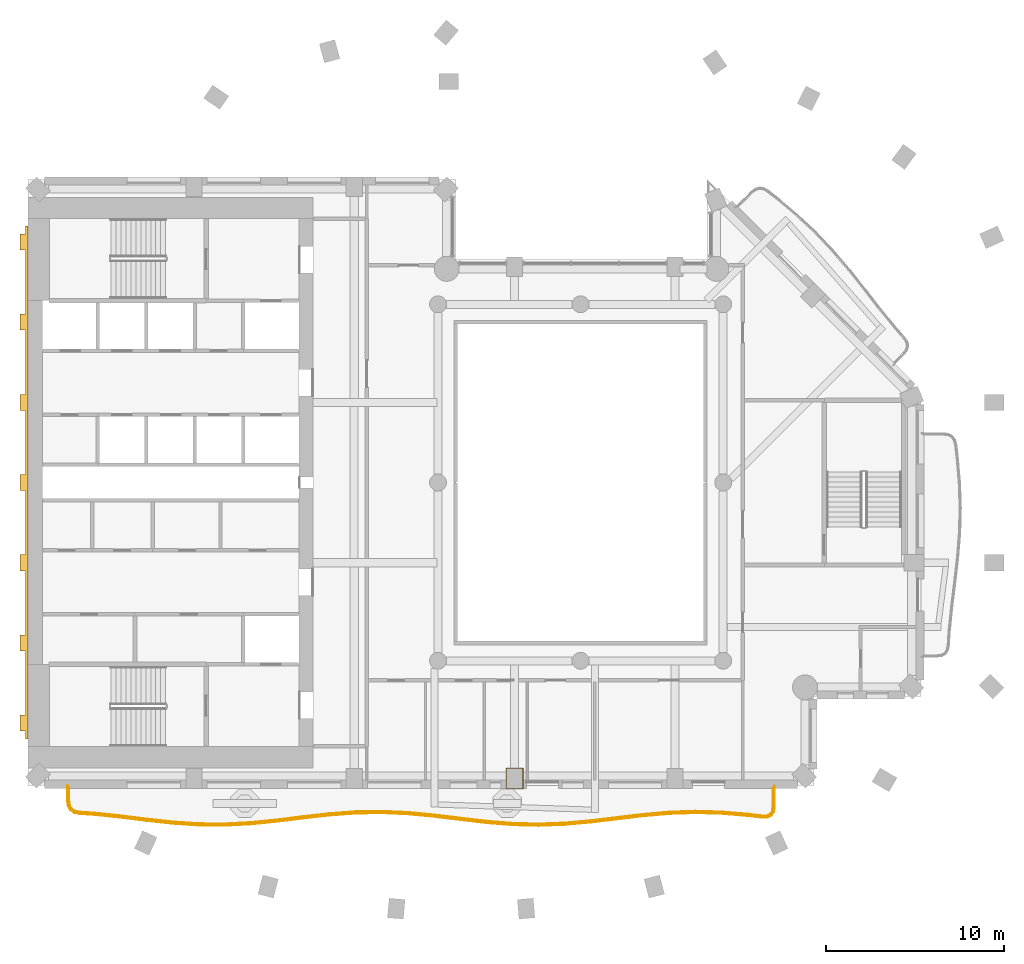
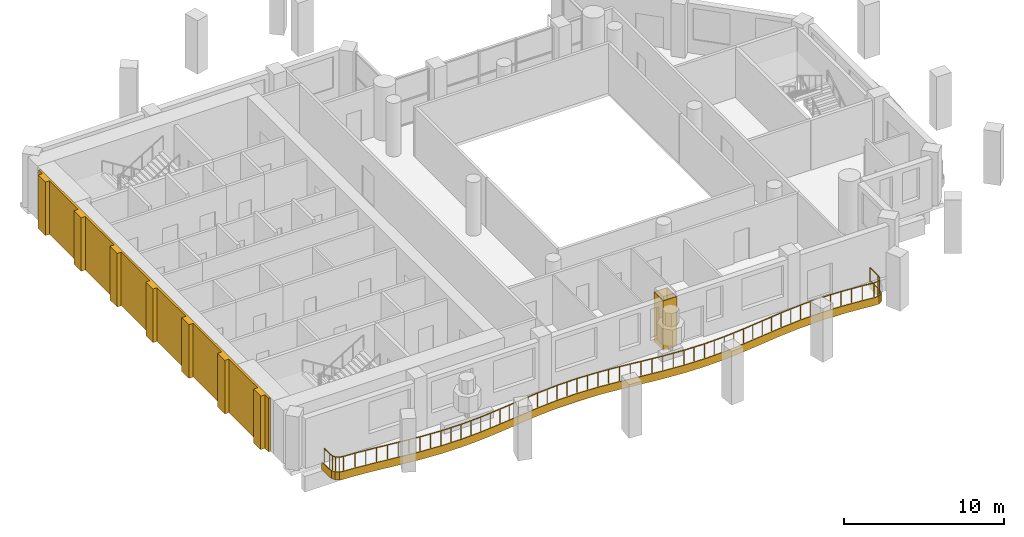
# One storey, part 10 of 14: 3 coverings, 1 railing.
"""IFC4 building model written with IfcOpenShell, lengths in metres."""

from ifc_helpers import new_model, si_unit, direction, frame, origin, origin_2d, place, context, subcontext, project, spatial, polyline, rectangle, outline, extrude, material, layer, layer_set, type_object, element, save


model = new_model("IFC4")

# Units and contexts
model_context = context("Model", 3, precision=1e-05, world=origin(), true_north=direction((0.0, 1.0)))
body_context = subcontext(model_context, "Body", "Model", "MODEL_VIEW")
ifc_project = project(units=[si_unit("LENGTHUNIT", "METRE"), si_unit("AREAUNIT", "SQUARE_METRE"), si_unit("VOLUMEUNIT", "CUBIC_METRE"), si_unit("PLANEANGLEUNIT", "RADIAN"), si_unit("MASSUNIT", "GRAM", prefix="KILO")], contexts=[model_context])

# Site, building, storey
site_placement = place(None, origin())
site = spatial("IfcSite", under=ifc_project, at=site_placement, CompositionType="ELEMENT")
building_placement = place(site_placement, origin())
building = spatial("IfcBuilding", under=site, at=building_placement, Name="Cypress Arch Tower", CompositionType="ELEMENT")
storey_placement = place(building_placement, frame((0.0, 0.0, 185.10009765625)))
storey = spatial("IfcBuildingStorey", under=building, at=storey_placement, Name="L40", CompositionType="ELEMENT", Elevation=185.10009765625)

# Covering
ifc_material_1 = material(Name="White powder-coated aluminium fascia", Category="aluminium")
ifc_layer_1 = layer(ifc_material_1, 0.050048828125)
ifc_layer_set_1 = layer_set([ifc_layer_1], Name="Balcony fascia BF50")
covering_type_1 = type_object("IfcCoveringType", Name="Balcony fascia BF50", PredefinedType="CLADDING", material=ifc_layer_set_1)
covering_1_placement = place(storey_placement, frame((0.0, 0.0, -0.60009765625)))
element("IfcCovering", 1, at=covering_1_placement, inside=storey, type_object=covering_type_1, Name="Balcony fascia L40-B01", PredefinedType="CLADDING", context=body_context, shape_type="SweptSolid", body=[
    extrude(outline(polyline([(11.89990234375, -18.17919921875), (11.856689453125, -18.479248046875), (11.719482421875, -18.693359375), (11.490966796875, -18.804443359375), (11.187744140625, -18.812255859375), (10.378173828125, -18.716796875), (8.913818359375, -18.593017578125), (7.4501953125, -18.550048828125), (5.986328125, -18.59912109375), (4.521728515625, -18.7275390625), (3.055908203125, -18.90234375), (1.588623046875, -19.0791015625), (0.119873046875, -19.212158203125), (-1.349609375, -19.267578125), (-2.8193359375, -19.230712890625), (-4.288330078125, -19.111328125), (-5.755859375, -18.93994140625), (-7.22216796875, -18.7607421875), (-8.686767578125, -18.61962890625), (-10.150634765625, -18.552734375), (-11.614501953125, -18.576904296875), (-13.07861328125, -18.68603515625), (-14.544189453125, -18.8525390625), (-16.010986328125, -19.033447265625), (-17.4794921875, -19.1826171875), (-18.948974609375, -19.261474609375), (-20.41845703125, -19.249755859375), (-21.8876953125, -19.150634765625), (-23.355712890625, -18.989501953125), (-24.822265625, -18.8076171875), (-26.28759765625, -18.652099609375), (-27.0966796875, -18.602294921875), (-27.398193359375, -18.540771484375), (-27.622314453125, -18.392333984375), (-27.7568359375, -18.159423828125), (-27.800048828125, -17.8544921875), (-27.800048828125, -17.0009765625), (-27.75, -17.0009765625), (-27.75, -17.85107421875), (-27.708740234375, -18.142822265625), (-27.5849609375, -18.35693359375), (-27.378662109375, -18.49365234375), (-27.090087890625, -18.552734375), (-26.283447265625, -18.602294921875), (-24.816650390625, -18.758056640625), (-23.35009765625, -18.939697265625), (-21.88330078125, -19.100830078125), (-20.416748046875, -19.19970703125), (-18.949951171875, -19.21142578125), (-17.4833984375, -19.132568359375), (-16.0166015625, -18.983642578125), (-14.550048828125, -18.802734375), (-13.083251953125, -18.63623046875), (-11.61669921875, -18.52685546875), (-10.14990234375, -18.502685546875), (-8.683349609375, -18.56982421875), (-7.216552734375, -18.711181640625), (-5.75, -18.890380859375), (-4.283447265625, -19.0615234375), (-2.816650390625, -19.1806640625), (-1.35009765625, -19.217529296875), (0.11669921875, -19.162353515625), (1.583251953125, -19.029296875), (3.050048828125, -18.852783203125), (4.5166015625, -18.677734375), (5.9833984375, -18.549072265625), (7.449951171875, -18.5), (8.916748046875, -18.54296875), (10.38330078125, -18.6669921875), (11.18994140625, -18.76220703125), (11.478759765625, -18.7548828125), (11.68505859375, -18.654541015625), (11.808837890625, -18.46142578125), (11.85009765625, -18.175537109375), (11.85009765625, -17.0009765625), (11.89990234375, -17.0009765625), (11.89990234375, -18.17919921875)])), origin(), (0.0, 0.0, 1.0), 0.60009765625),
])

# Railing
ifc_material_2 = material(Name="Powder-coated steel posts and rods, 100 mm clear between rods", Category="steel")
railing_type = type_object("IfcRailingType", Name="Balcony guard GR1100", PredefinedType="GUARDRAIL", material=ifc_material_2)
railing_placement = place(storey_placement, frame((11.800048828125, -17.14990234375, 0.0)))
element("IfcRailing", 2, at=railing_placement, inside=storey, type_object=railing_type, Name="Balcony guard L40-B01", PredefinedType="GUARDRAIL", context=body_context, shape_type="SweptSolid", body=[
    extrude(rectangle(XDim=0.050048828125, YDim=0.050048828125, at=origin_2d()), frame((0.0, 0.0, 1.0751953125), z_axis=(0.0, -1.0, 0.0), x_axis=(1.0, 0.0, 0.0)), (0.0, 0.0, 1.0), 1.022216796875),
    extrude(rectangle(XDim=0.050048828125, YDim=0.050048828125, at=origin_2d()), frame((0.0, -1.022216796875, 1.0751953125), z_axis=(-0.143290105569, -0.989680729148, 0.0), x_axis=(0.989680729148, -0.143290105569, 0.0)), (0.0, 0.0, 1.0), 0.2744140625),
    extrude(rectangle(XDim=0.050048828125, YDim=0.050048828125, at=origin_2d()), frame((-0.039306640625, -1.293701171875, 1.0751953125), z_axis=(-0.539731215244, -0.841837404308, 0.0), x_axis=(0.841837404308, -0.539731215244, 0.0)), (0.0, 0.0, 1.0), 0.204345703125),
    extrude(rectangle(XDim=0.050048828125, YDim=0.050048828125, at=origin_2d()), frame((-0.149658203125, -1.4658203125, 1.0751953125), z_axis=(-0.899387421437, -0.437152451854, 0.0), x_axis=(0.437152451854, -0.899387421437, 0.0)), (0.0, 0.0, 1.0), 0.204345703125),
    extrude(rectangle(XDim=0.050048828125, YDim=0.050048828125, at=origin_2d()), frame((-0.33349609375, -1.55517578125, 1.0751953125), z_axis=(-0.999666735279, -0.02581508043, 0.0), x_axis=(0.02581508043, -0.999666735279, 0.0)), (0.0, 0.0, 1.0), 0.274169921875),
    extrude(rectangle(XDim=0.050048828125, YDim=0.050048828125, at=origin_2d()), frame((-0.607666015625, -1.562255859375, 1.0751953125), z_axis=(-0.993094911107, 0.117313671552, 0.0), x_axis=(-0.117313671552, -0.993094911107, 0.0)), (0.0, 0.0, 1.0), 0.8095703125),
    extrude(rectangle(XDim=0.050048828125, YDim=0.050048828125, at=origin_2d()), frame((-1.41162109375, -1.46728515625, 1.0751953125), z_axis=(-0.99645494302, 0.084128155402, 0.0), x_axis=(-0.084128155402, -0.99645494302, 0.0)), (0.0, 0.0, 1.0), 1.47412109375),
    extrude(rectangle(XDim=0.050048828125, YDim=0.050048828125, at=origin_2d()), frame((-2.880615234375, -1.34326171875, 1.0751953125), z_axis=(-0.999567897986, 0.029394171448, 0.0), x_axis=(-0.029394171448, -0.999567897986, 0.0)), (0.0, 0.0, 1.0), 1.47021484375),
    extrude(rectangle(XDim=0.050048828125, YDim=0.050048828125, at=origin_2d()), frame((-4.35009765625, -1.300048828125, 1.0751953125), z_axis=(-0.999437512064, -0.033535943096, 0.0), x_axis=(0.033535943096, -0.999437512064, 0.0)), (0.0, 0.0, 1.0), 1.470458984375),
    extrude(rectangle(XDim=0.050048828125, YDim=0.050048828125, at=origin_2d()), frame((-5.81982421875, -1.349365234375, 1.0751953125), z_axis=(-0.996185085233, -0.087265548524, 0.0), x_axis=(0.087265548524, -0.996185085233, 0.0)), (0.0, 0.0, 1.0), 1.474365234375),
    extrude(rectangle(XDim=0.050048828125, YDim=0.050048828125, at=origin_2d()), frame((-7.28857421875, -1.47802734375, 1.0751953125), z_axis=(-0.992961008458, -0.118441697399, 0.0), x_axis=(0.118441697399, -0.992961008458, 0.0)), (0.0, 0.0, 1.0), 1.47802734375),
    extrude(rectangle(XDim=0.050048828125, YDim=0.050048828125, at=origin_2d()), frame((-8.756103515625, -1.653076171875, 1.0751953125), z_axis=(-0.992807817099, -0.119718997265, 0.0), x_axis=(0.119718997265, -0.992807817099, 0.0)), (0.0, 0.0, 1.0), 1.476318359375),
    extrude(rectangle(XDim=0.050048828125, YDim=0.050048828125, at=origin_2d()), frame((-10.221923828125, -1.829833984375, 1.0751953125), z_axis=(-0.99592851083, -0.090146554656, 0.0), x_axis=(0.090146554656, -0.99592851083, 0.0)), (0.0, 0.0, 1.0), 1.470703125),
    extrude(rectangle(XDim=0.050048828125, YDim=0.050048828125, at=origin_2d()), frame((-11.6865234375, -1.96240234375, 1.0751953125), z_axis=(-0.999290420283, -0.037665049197, 0.0), x_axis=(0.037665049197, -0.999290420283, 0.0)), (0.0, 0.0, 1.0), 1.46484375),
    extrude(rectangle(XDim=0.050048828125, YDim=0.050048828125, at=origin_2d()), frame((-13.150390625, -2.017578125, 1.0751953125), z_axis=(-0.999687125412, 0.025013022321, 0.0), x_axis=(-0.025013022321, -0.999687125412, 0.0)), (0.0, 0.0, 1.0), 1.464111328125),
    extrude(rectangle(XDim=0.050048828125, YDim=0.050048828125, at=origin_2d()), frame((-14.614013671875, -1.98095703125, 1.0751953125), z_axis=(-0.996706579968, 0.081092499337, 0.0), x_axis=(-0.081092499337, -0.996706579968, 0.0)), (0.0, 0.0, 1.0), 1.46923828125),
    extrude(rectangle(XDim=0.050048828125, YDim=0.050048828125, at=origin_2d()), frame((-16.078369140625, -1.86181640625, 1.0751953125), z_axis=(-0.993252979959, 0.115967744662, 0.0), x_axis=(-0.115967744662, -0.993252979959, 0.0)), (0.0, 0.0, 1.0), 1.475830078125),
    extrude(rectangle(XDim=0.050048828125, YDim=0.050048828125, at=origin_2d()), frame((-17.544189453125, -1.690673828125, 1.0751953125), z_axis=(-0.992622135533, 0.121248901228, 0.0), x_axis=(-0.121248901228, -0.992622135533, 0.0)), (0.0, 0.0, 1.0), 1.47802734375),
    extrude(rectangle(XDim=0.050048828125, YDim=0.050048828125, at=origin_2d()), frame((-19.01123046875, -1.511474609375, 1.0751953125), z_axis=(-0.995399018088, 0.095816464085, 0.0), x_axis=(-0.095816464085, -0.995399018088, 0.0)), (0.0, 0.0, 1.0), 1.475341796875),
    extrude(rectangle(XDim=0.050048828125, YDim=0.050048828125, at=origin_2d()), frame((-20.479736328125, -1.3701171875, 1.0751953125), z_axis=(-0.998950324018, 0.04580666048, 0.0), x_axis=(-0.04580666048, -0.998950324018, 0.0)), (0.0, 0.0, 1.0), 1.470947265625),
    extrude(rectangle(XDim=0.050048828125, YDim=0.050048828125, at=origin_2d()), frame((-21.94921875, -1.302734375, 1.0751953125), z_axis=(-0.999862060974, -0.016609004335, 0.0), x_axis=(0.016609004335, -0.999862060974, 0.0)), (0.0, 0.0, 1.0), 1.469970703125),
    extrude(rectangle(XDim=0.050048828125, YDim=0.050048828125, at=origin_2d()), frame((-23.4189453125, -1.3271484375, 1.0751953125), z_axis=(-0.997240558757, -0.074237914643, 0.0), x_axis=(0.074237914643, -0.997240558757, 0.0)), (0.0, 0.0, 1.0), 1.473388671875),
    extrude(rectangle(XDim=0.050048828125, YDim=0.050048828125, at=origin_2d()), frame((-24.88818359375, -1.4365234375, 1.0751953125), z_axis=(-0.993608625502, -0.112880021826, 0.0), x_axis=(0.112880021826, -0.993608625502, 0.0)), (0.0, 0.0, 1.0), 1.477294921875),
    extrude(rectangle(XDim=0.050048828125, YDim=0.050048828125, at=origin_2d()), frame((-26.35595703125, -1.603271484375, 1.0751953125), z_axis=(-0.992474905315, -0.122448202604, 0.0), x_axis=(0.122448202604, -0.992474905315, 0.0)), (0.0, 0.0, 1.0), 1.4775390625),
    extrude(rectangle(XDim=0.050048828125, YDim=0.050048828125, at=origin_2d()), frame((-27.822265625, -1.7841796875, 1.0751953125), z_axis=(-0.994890027911, -0.100964510415, 0.0), x_axis=(0.100964510415, -0.994890027911, 0.0)), (0.0, 0.0, 1.0), 1.47265625),
    extrude(rectangle(XDim=0.050048828125, YDim=0.050048828125, at=origin_2d()), frame((-29.287353515625, -1.932861328125, 1.0751953125), z_axis=(-0.998561133921, -0.053625197652, 0.0), x_axis=(0.053625197652, -0.998561133921, 0.0)), (0.0, 0.0, 1.0), 1.466064453125),
    extrude(rectangle(XDim=0.050048828125, YDim=0.050048828125, at=origin_2d()), frame((-30.751220703125, -2.011474609375, 1.0751953125), z_axis=(-0.999967948141, 0.008006415598, 0.0), x_axis=(-0.008006415598, -0.999967948141, 0.0)), (0.0, 0.0, 1.0), 1.463623046875),
    extrude(rectangle(XDim=0.050048828125, YDim=0.050048828125, at=origin_2d()), frame((-32.21484375, -1.999755859375, 1.0751953125), z_axis=(-0.99773853704, 0.067214668828, 0.0), x_axis=(-0.067214668828, -0.99773853704, 0.0)), (0.0, 0.0, 1.0), 1.467529296875),
    extrude(rectangle(XDim=0.050048828125, YDim=0.050048828125, at=origin_2d()), frame((-33.678955078125, -1.901123046875, 1.0751953125), z_axis=(-0.994026295819, 0.10914084121, 0.0), x_axis=(-0.10914084121, -0.994026295819, 0.0)), (0.0, 0.0, 1.0), 1.47412109375),
    extrude(rectangle(XDim=0.050048828125, YDim=0.050048828125, at=origin_2d()), frame((-35.144287109375, -1.740234375, 1.0751953125), z_axis=(-0.992399375709, 0.123058844025, 0.0), x_axis=(-0.123058844025, -0.992399375709, 0.0)), (0.0, 0.0, 1.0), 1.47802734375),
    extrude(rectangle(XDim=0.050048828125, YDim=0.050048828125, at=origin_2d()), frame((-36.611083984375, -1.558349609375, 1.0751953125), z_axis=(-0.994418116159, 0.10551118545, 0.0), x_axis=(-0.10551118545, -0.994418116159, 0.0)), (0.0, 0.0, 1.0), 1.476318359375),
    extrude(rectangle(XDim=0.050048828125, YDim=0.050048828125, at=origin_2d()), frame((-38.0791015625, -1.402587890625, 1.0751953125), z_axis=(-0.99810758196, 0.061491908691, 0.0), x_axis=(-0.061491908691, -0.99810758196, 0.0)), (0.0, 0.0, 1.0), 0.805908203125),
    extrude(rectangle(XDim=0.050048828125, YDim=0.050048828125, at=origin_2d()), frame((-38.883544921875, -1.35302734375, 1.0751953125), z_axis=(-0.979703314586, 0.200453025394, 0.0), x_axis=(-0.200453025394, -0.979703314586, 0.0)), (0.0, 0.0, 1.0), 0.28125),
    extrude(rectangle(XDim=0.050048828125, YDim=0.050048828125, at=origin_2d()), frame((-39.1591796875, -1.296630859375, 1.0751953125), z_axis=(-0.83387371811, 0.551955271961, 0.0), x_axis=(-0.551955271961, -0.83387371811, 0.0)), (0.0, 0.0, 1.0), 0.22607421875),
    extrude(rectangle(XDim=0.050048828125, YDim=0.050048828125, at=origin_2d()), frame((-39.34765625, -1.171875, 1.0751953125), z_axis=(-0.500439658564, 0.865771417948, 0.0), x_axis=(-0.865771417948, -0.500439658564, 0.0)), (0.0, 0.0, 1.0), 0.225830078125),
    extrude(rectangle(XDim=0.050048828125, YDim=0.050048828125, at=origin_2d()), frame((-39.460693359375, -0.976318359375, 1.0751953125), z_axis=(-0.139600244255, 0.990207943719, 0.0), x_axis=(-0.990207943719, -0.139600244255, 0.0)), (0.0, 0.0, 1.0), 0.281494140625),
    extrude(rectangle(XDim=0.050048828125, YDim=0.050048828125, at=origin_2d()), frame((-39.5, -0.697509765625, 1.0751953125), z_axis=(0.0, 1.0, 0.0), x_axis=(-1.0, 0.0, 0.0)), (0.0, 0.0, 1.0), 0.697509765625),
    extrude(rectangle(XDim=0.0400390625, YDim=0.0400390625, at=origin_2d()), origin(), (0.0, 0.0, 1.0), 1.050048828125),
    extrude(rectangle(XDim=0.0400390625, YDim=0.0400390625, at=origin_2d()), frame((0.0, -1.022216796875, 0.0)), (0.0, 0.0, 1.0), 1.050048828125),
    extrude(rectangle(XDim=0.0400390625, YDim=0.0400390625, at=origin_2d()), frame((-0.039306640625, -1.293701171875, 0.0)), (0.0, 0.0, 1.0), 1.050048828125),
    extrude(rectangle(XDim=0.0400390625, YDim=0.0400390625, at=origin_2d()), frame((-0.149658203125, -1.4658203125, 0.0)), (0.0, 0.0, 1.0), 1.050048828125),
    extrude(rectangle(XDim=0.0400390625, YDim=0.0400390625, at=origin_2d()), frame((-0.33349609375, -1.55517578125, 0.0)), (0.0, 0.0, 1.0), 1.050048828125),
    extrude(rectangle(XDim=0.0400390625, YDim=0.0400390625, at=origin_2d()), frame((-0.607666015625, -1.562255859375, 0.0)), (0.0, 0.0, 1.0), 1.050048828125),
    extrude(rectangle(XDim=0.0400390625, YDim=0.0400390625, at=origin_2d()), frame((-1.41162109375, -1.46728515625, 0.0)), (0.0, 0.0, 1.0), 1.050048828125),
    extrude(rectangle(XDim=0.0400390625, YDim=0.0400390625, at=origin_2d()), frame((-2.14599609375, -1.4052734375, 0.0)), (0.0, 0.0, 1.0), 1.050048828125),
    extrude(rectangle(XDim=0.0400390625, YDim=0.0400390625, at=origin_2d()), frame((-2.880615234375, -1.34326171875, 0.0)), (0.0, 0.0, 1.0), 1.050048828125),
    extrude(rectangle(XDim=0.0400390625, YDim=0.0400390625, at=origin_2d()), frame((-3.615234375, -1.32177734375, 0.0)), (0.0, 0.0, 1.0), 1.050048828125),
    extrude(rectangle(XDim=0.0400390625, YDim=0.0400390625, at=origin_2d()), frame((-4.35009765625, -1.300048828125, 0.0)), (0.0, 0.0, 1.0), 1.050048828125),
    extrude(rectangle(XDim=0.0400390625, YDim=0.0400390625, at=origin_2d()), frame((-5.0849609375, -1.32470703125, 0.0)), (0.0, 0.0, 1.0), 1.050048828125),
    extrude(rectangle(XDim=0.0400390625, YDim=0.0400390625, at=origin_2d()), frame((-5.81982421875, -1.349365234375, 0.0)), (0.0, 0.0, 1.0), 1.050048828125),
    extrude(rectangle(XDim=0.0400390625, YDim=0.0400390625, at=origin_2d()), frame((-6.55419921875, -1.41357421875, 0.0)), (0.0, 0.0, 1.0), 1.050048828125),
    extrude(rectangle(XDim=0.0400390625, YDim=0.0400390625, at=origin_2d()), frame((-7.28857421875, -1.47802734375, 0.0)), (0.0, 0.0, 1.0), 1.050048828125),
    extrude(rectangle(XDim=0.0400390625, YDim=0.0400390625, at=origin_2d()), frame((-8.0224609375, -1.5654296875, 0.0)), (0.0, 0.0, 1.0), 1.050048828125),
    extrude(rectangle(XDim=0.0400390625, YDim=0.0400390625, at=origin_2d()), frame((-8.756103515625, -1.653076171875, 0.0)), (0.0, 0.0, 1.0), 1.050048828125),
    extrude(rectangle(XDim=0.0400390625, YDim=0.0400390625, at=origin_2d()), frame((-9.489013671875, -1.741455078125, 0.0)), (0.0, 0.0, 1.0), 1.050048828125),
    extrude(rectangle(XDim=0.0400390625, YDim=0.0400390625, at=origin_2d()), frame((-10.221923828125, -1.829833984375, 0.0)), (0.0, 0.0, 1.0), 1.050048828125),
    extrude(rectangle(XDim=0.0400390625, YDim=0.0400390625, at=origin_2d()), frame((-10.9541015625, -1.89599609375, 0.0)), (0.0, 0.0, 1.0), 1.050048828125),
    extrude(rectangle(XDim=0.0400390625, YDim=0.0400390625, at=origin_2d()), frame((-11.6865234375, -1.96240234375, 0.0)), (0.0, 0.0, 1.0), 1.050048828125),
    extrude(rectangle(XDim=0.0400390625, YDim=0.0400390625, at=origin_2d()), frame((-12.41845703125, -1.989990234375, 0.0)), (0.0, 0.0, 1.0), 1.050048828125),
    extrude(rectangle(XDim=0.0400390625, YDim=0.0400390625, at=origin_2d()), frame((-13.150390625, -2.017578125, 0.0)), (0.0, 0.0, 1.0), 1.050048828125),
    extrude(rectangle(XDim=0.0400390625, YDim=0.0400390625, at=origin_2d()), frame((-13.88232421875, -1.999267578125, 0.0)), (0.0, 0.0, 1.0), 1.050048828125),
    extrude(rectangle(XDim=0.0400390625, YDim=0.0400390625, at=origin_2d()), frame((-14.614013671875, -1.98095703125, 0.0)), (0.0, 0.0, 1.0), 1.050048828125),
    extrude(rectangle(XDim=0.0400390625, YDim=0.0400390625, at=origin_2d()), frame((-15.34619140625, -1.92138671875, 0.0)), (0.0, 0.0, 1.0), 1.050048828125),
    extrude(rectangle(XDim=0.0400390625, YDim=0.0400390625, at=origin_2d()), frame((-16.078369140625, -1.86181640625, 0.0)), (0.0, 0.0, 1.0), 1.050048828125),
    extrude(rectangle(XDim=0.0400390625, YDim=0.0400390625, at=origin_2d()), frame((-16.811279296875, -1.7763671875, 0.0)), (0.0, 0.0, 1.0), 1.050048828125),
    extrude(rectangle(XDim=0.0400390625, YDim=0.0400390625, at=origin_2d()), frame((-17.544189453125, -1.690673828125, 0.0)), (0.0, 0.0, 1.0), 1.050048828125),
    extrude(rectangle(XDim=0.0400390625, YDim=0.0400390625, at=origin_2d()), frame((-18.27783203125, -1.60107421875, 0.0)), (0.0, 0.0, 1.0), 1.050048828125),
    extrude(rectangle(XDim=0.0400390625, YDim=0.0400390625, at=origin_2d()), frame((-19.01123046875, -1.511474609375, 0.0)), (0.0, 0.0, 1.0), 1.050048828125),
    extrude(rectangle(XDim=0.0400390625, YDim=0.0400390625, at=origin_2d()), frame((-19.74560546875, -1.44091796875, 0.0)), (0.0, 0.0, 1.0), 1.050048828125),
    extrude(rectangle(XDim=0.0400390625, YDim=0.0400390625, at=origin_2d()), frame((-20.479736328125, -1.3701171875, 0.0)), (0.0, 0.0, 1.0), 1.050048828125),
    extrude(rectangle(XDim=0.0400390625, YDim=0.0400390625, at=origin_2d()), frame((-21.21435546875, -1.33642578125, 0.0)), (0.0, 0.0, 1.0), 1.050048828125),
    extrude(rectangle(XDim=0.0400390625, YDim=0.0400390625, at=origin_2d()), frame((-21.94921875, -1.302734375, 0.0)), (0.0, 0.0, 1.0), 1.050048828125),
    extrude(rectangle(XDim=0.0400390625, YDim=0.0400390625, at=origin_2d()), frame((-22.68408203125, -1.31494140625, 0.0)), (0.0, 0.0, 1.0), 1.050048828125),
    extrude(rectangle(XDim=0.0400390625, YDim=0.0400390625, at=origin_2d()), frame((-23.4189453125, -1.3271484375, 0.0)), (0.0, 0.0, 1.0), 1.050048828125),
    extrude(rectangle(XDim=0.0400390625, YDim=0.0400390625, at=origin_2d()), frame((-24.153564453125, -1.3818359375, 0.0)), (0.0, 0.0, 1.0), 1.050048828125),
    extrude(rectangle(XDim=0.0400390625, YDim=0.0400390625, at=origin_2d()), frame((-24.88818359375, -1.4365234375, 0.0)), (0.0, 0.0, 1.0), 1.050048828125),
    extrude(rectangle(XDim=0.0400390625, YDim=0.0400390625, at=origin_2d()), frame((-25.6220703125, -1.52001953125, 0.0)), (0.0, 0.0, 1.0), 1.050048828125),
    extrude(rectangle(XDim=0.0400390625, YDim=0.0400390625, at=origin_2d()), frame((-26.35595703125, -1.603271484375, 0.0)), (0.0, 0.0, 1.0), 1.050048828125),
    extrude(rectangle(XDim=0.0400390625, YDim=0.0400390625, at=origin_2d()), frame((-27.089111328125, -1.69384765625, 0.0)), (0.0, 0.0, 1.0), 1.050048828125),
    extrude(rectangle(XDim=0.0400390625, YDim=0.0400390625, at=origin_2d()), frame((-27.822265625, -1.7841796875, 0.0)), (0.0, 0.0, 1.0), 1.050048828125),
    extrude(rectangle(XDim=0.0400390625, YDim=0.0400390625, at=origin_2d()), frame((-28.5546875, -1.8583984375, 0.0)), (0.0, 0.0, 1.0), 1.050048828125),
    extrude(rectangle(XDim=0.0400390625, YDim=0.0400390625, at=origin_2d()), frame((-29.287353515625, -1.932861328125, 0.0)), (0.0, 0.0, 1.0), 1.050048828125),
    extrude(rectangle(XDim=0.0400390625, YDim=0.0400390625, at=origin_2d()), frame((-30.019287109375, -1.97216796875, 0.0)), (0.0, 0.0, 1.0), 1.050048828125),
    extrude(rectangle(XDim=0.0400390625, YDim=0.0400390625, at=origin_2d()), frame((-30.751220703125, -2.011474609375, 0.0)), (0.0, 0.0, 1.0), 1.050048828125),
    extrude(rectangle(XDim=0.0400390625, YDim=0.0400390625, at=origin_2d()), frame((-31.48291015625, -2.005615234375, 0.0)), (0.0, 0.0, 1.0), 1.050048828125),
    extrude(rectangle(XDim=0.0400390625, YDim=0.0400390625, at=origin_2d()), frame((-32.21484375, -1.999755859375, 0.0)), (0.0, 0.0, 1.0), 1.050048828125),
    extrude(rectangle(XDim=0.0400390625, YDim=0.0400390625, at=origin_2d()), frame((-32.94677734375, -1.950439453125, 0.0)), (0.0, 0.0, 1.0), 1.050048828125),
    extrude(rectangle(XDim=0.0400390625, YDim=0.0400390625, at=origin_2d()), frame((-33.678955078125, -1.901123046875, 0.0)), (0.0, 0.0, 1.0), 1.050048828125),
    extrude(rectangle(XDim=0.0400390625, YDim=0.0400390625, at=origin_2d()), frame((-34.41162109375, -1.82080078125, 0.0)), (0.0, 0.0, 1.0), 1.050048828125),
    extrude(rectangle(XDim=0.0400390625, YDim=0.0400390625, at=origin_2d()), frame((-35.144287109375, -1.740234375, 0.0)), (0.0, 0.0, 1.0), 1.050048828125),
    extrude(rectangle(XDim=0.0400390625, YDim=0.0400390625, at=origin_2d()), frame((-35.877685546875, -1.6494140625, 0.0)), (0.0, 0.0, 1.0), 1.050048828125),
    extrude(rectangle(XDim=0.0400390625, YDim=0.0400390625, at=origin_2d()), frame((-36.611083984375, -1.558349609375, 0.0)), (0.0, 0.0, 1.0), 1.050048828125),
    extrude(rectangle(XDim=0.0400390625, YDim=0.0400390625, at=origin_2d()), frame((-37.34521484375, -1.48046875, 0.0)), (0.0, 0.0, 1.0), 1.050048828125),
    extrude(rectangle(XDim=0.0400390625, YDim=0.0400390625, at=origin_2d()), frame((-38.0791015625, -1.402587890625, 0.0)), (0.0, 0.0, 1.0), 1.050048828125),
    extrude(rectangle(XDim=0.0400390625, YDim=0.0400390625, at=origin_2d()), frame((-38.883544921875, -1.35302734375, 0.0)), (0.0, 0.0, 1.0), 1.050048828125),
    extrude(rectangle(XDim=0.0400390625, YDim=0.0400390625, at=origin_2d()), frame((-39.1591796875, -1.296630859375, 0.0)), (0.0, 0.0, 1.0), 1.050048828125),
    extrude(rectangle(XDim=0.0400390625, YDim=0.0400390625, at=origin_2d()), frame((-39.34765625, -1.171875, 0.0)), (0.0, 0.0, 1.0), 1.050048828125),
    extrude(rectangle(XDim=0.0400390625, YDim=0.0400390625, at=origin_2d()), frame((-39.460693359375, -0.976318359375, 0.0)), (0.0, 0.0, 1.0), 1.050048828125),
    extrude(rectangle(XDim=0.0400390625, YDim=0.0400390625, at=origin_2d()), frame((-39.5, -0.697509765625, 0.0)), (0.0, 0.0, 1.0), 1.050048828125),
    extrude(rectangle(XDim=0.0400390625, YDim=0.0400390625, at=origin_2d()), frame((-39.5, 0.0, 0.0)), (0.0, 0.0, 1.0), 1.050048828125),
])

# Coverings
ifc_material_3 = material(Name="Painted plasterboard column casing")
ifc_layer_2 = layer(ifc_material_3, 0.0400390625)
ifc_layer_set_2 = layer_set([ifc_layer_2], Name="Column casing CK40")
covering_type_2 = type_object("IfcCoveringType", Name="Column casing CK40", PredefinedType="CLADDING", material=ifc_layer_set_2)
covering_2_placement = place(storey_placement, origin())
element("IfcCovering", 3, at=covering_2_placement, inside=storey, type_object=covering_type_2, Name="Column casing L40 CB04", PredefinedType="CLADDING", context=body_context, shape_type="SweptSolid", body=[
    extrude(outline(polyline([(-3.18994140625, -17.18994140625), (-3.18994140625, -16.010009765625), (-2.2099609375, -16.010009765625), (-2.2099609375, -17.18994140625), (-3.18994140625, -17.18994140625)]), holes=[polyline([(-3.14990234375, -17.14990234375), (-2.25, -17.14990234375), (-2.25, -16.050048828125), (-3.14990234375, -16.050048828125), (-3.14990234375, -17.14990234375)])]), origin(), (0.0, 0.0, 1.0), 3.7998046875),
])
ifc_material_4 = material(Name="Brick (red buff blend)", Category="masonry")
ifc_layer_3 = layer(ifc_material_4, 0.449951171875)
ifc_layer_set_3 = layer_set([ifc_layer_3], Name="West face brick piers WP450")
covering_type_3 = type_object("IfcCoveringType", Name="West face brick piers WP450", PredefinedType="CLADDING", material=ifc_layer_set_3)
covering_3_placement = place(storey_placement, origin())
element("IfcCovering", 4, at=covering_3_placement, inside=storey, type_object=covering_type_3, Name="West face brick piers L40", PredefinedType="CLADDING", context=body_context, shape_type="SweptSolid", body=[
    extrude(outline(polyline([(-30.14990234375, -13.050048828125), (-30.14990234375, -9.449951171875), (-30.449951171875, -9.449951171875), (-30.449951171875, -8.550048828125), (-30.14990234375, -8.550048828125), (-30.14990234375, -4.949951171875), (-30.449951171875, -4.949951171875), (-30.449951171875, -4.050048828125), (-30.14990234375, -4.050048828125), (-30.14990234375, -0.449951171875), (-30.449951171875, -0.449951171875), (-30.449951171875, 0.449951171875), (-30.14990234375, 0.449951171875), (-30.14990234375, 4.050048828125), (-30.449951171875, 4.050048828125), (-30.449951171875, 4.949951171875), (-30.14990234375, 4.949951171875), (-30.14990234375, 8.550048828125), (-30.449951171875, 8.550048828125), (-30.449951171875, 9.449951171875), (-30.14990234375, 9.449951171875), (-30.14990234375, 13.050048828125), (-30.449951171875, 13.050048828125), (-30.449951171875, 13.949951171875), (-30.14990234375, 13.949951171875), (-30.14990234375, 14.39990234375), (-30.0, 14.39990234375), (-30.0, -14.39990234375), (-30.14990234375, -14.39990234375), (-30.14990234375, -13.949951171875), (-30.449951171875, -13.949951171875), (-30.449951171875, -13.050048828125), (-30.14990234375, -13.050048828125)])), origin(), (0.0, 0.0, 1.0), 4.099853515625),
])

save(model, "model.ifc")
